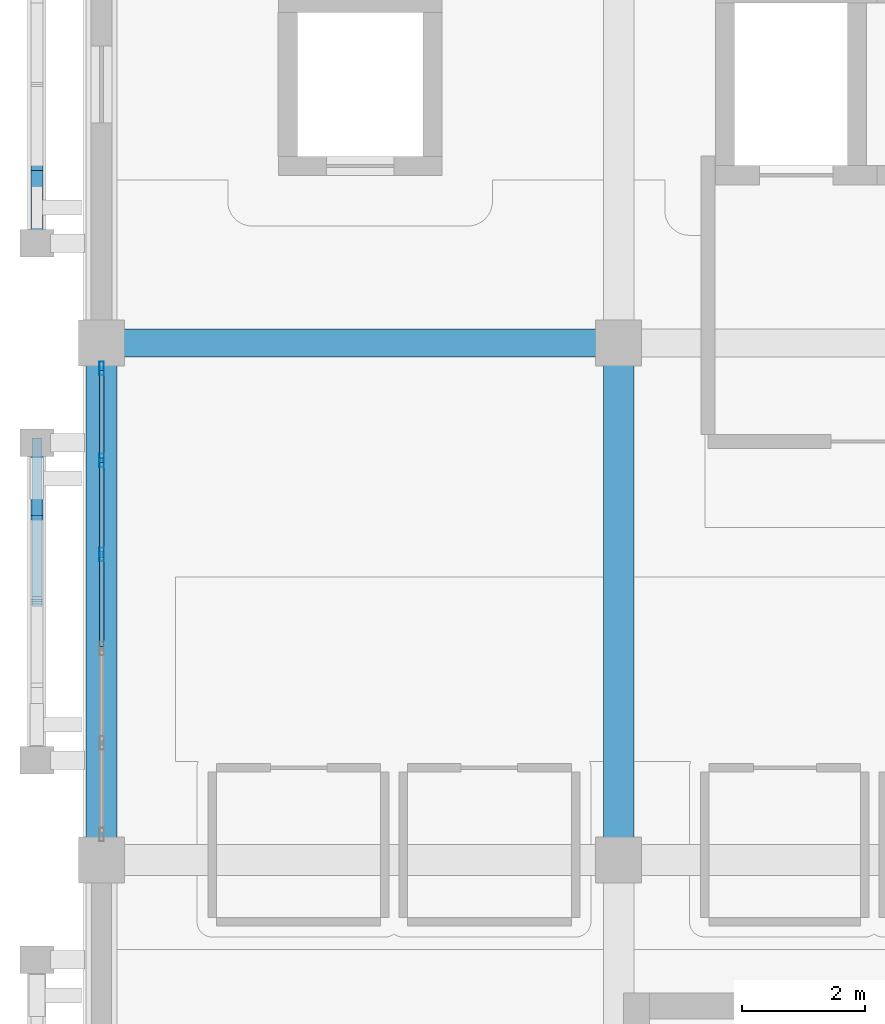
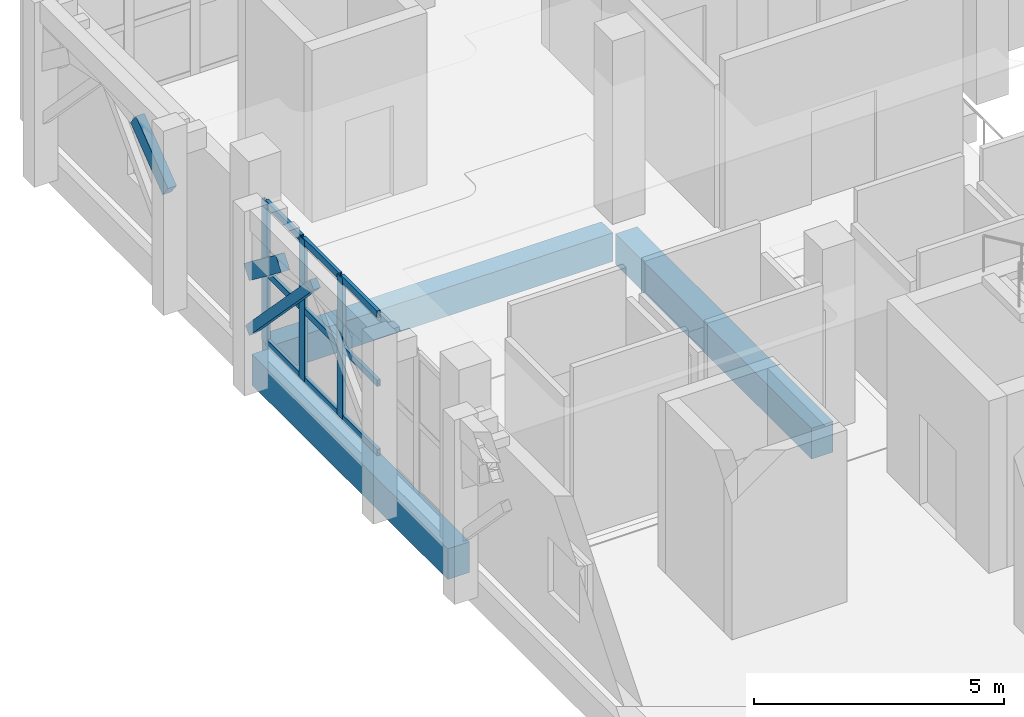
# One storey, part 45 of 114: 15 members, 3 beams, 1 element without a shape of its own.
"""IFC4 building model written with IfcOpenShell, lengths in metres."""

from ifc_helpers import new_model, si_unit, direction, frame, origin, origin_2d, place, context, subcontext, project, spatial, rectangle, hollow_rectangle, extrude, material, layer, layer_set, material_profile, profile_set, type_object, element, aggregate, save


model = new_model("IFC4")

# Units and contexts
model_context = context("Model", 3, precision=1e-05, world=origin(), true_north=direction((0.0, 1.0)))
body_context = subcontext(model_context, "Body", "Model", "MODEL_VIEW")
ifc_project = project(units=[si_unit("LENGTHUNIT", "METRE"), si_unit("AREAUNIT", "SQUARE_METRE"), si_unit("VOLUMEUNIT", "CUBIC_METRE"), si_unit("PLANEANGLEUNIT", "RADIAN"), si_unit("MASSUNIT", "GRAM", prefix="KILO")], contexts=[model_context])

# Site, building, storey
site_placement = place(None, origin())
site = spatial("IfcSite", under=ifc_project, at=site_placement, CompositionType="ELEMENT")
building_placement = place(site_placement, origin())
building = spatial("IfcBuilding", under=site, at=building_placement, Name="Xazarin Passage Department Store", CompositionType="ELEMENT")
storey_placement = place(building_placement, frame((0.0, 0.0, 14.39990234375)))
storey = spatial("IfcBuildingStorey", under=building, at=storey_placement, Name="L03", CompositionType="ELEMENT", Elevation=14.39990234375)

# Curtain wall, members
ifc_material_1 = material(Name="Bronze anodised aluminium", Category="aluminium")
ifc_layer = layer(ifc_material_1, 0.199951171875)
ifc_layer_set = layer_set([ifc_layer], Name="Bronze anodised aluminium")
curtain_wall_type = type_object("IfcCurtainWallType", Name="ARC-CW-VIT2", PredefinedType="NOTDEFINED", material=ifc_layer_set)
curtain_wall_placement = place(storey_placement, origin())
curtain_wall = element("IfcCurtainWall", 1, at=curtain_wall_placement, inside=storey, type_object=curtain_wall_type, Name="L03 V1 Curtain Wall 064", PredefinedType="NOTDEFINED")
ifc_material_profile_1 = material_profile(ifc_material_1, hollow_rectangle(XDim=0.074951171875, YDim=0.219970703125, WallThickness=0.0048828125, at=origin_2d()), Name="ALU 75x220")
ifc_profile_set_1 = profile_set([ifc_material_profile_1], Name="Bronze anodised aluminium")
member_type_1 = type_object("IfcMemberType", Name="ARC-CWM-75x220", PredefinedType="MULLION", material=ifc_profile_set_1)
member_1_placement = place(storey_placement, frame((0.0, 89.764892578125, 0.0), z_axis=(0.0, 0.0, 1.0), x_axis=(-1.0, 0.0, 0.0)))
member_1 = element("IfcMember", 2, at=member_1_placement, type_object=member_type_1, Name="CW2 mullion 4", PredefinedType="MULLION", context=body_context, shape_type="SweptSolid", body=[
    extrude(hollow_rectangle(XDim=0.074951171875, YDim=0.219970703125, WallThickness=0.0048828125, at=origin_2d()), origin(), (0.0, 0.0, 1.0), 3.4501953125),
])
member_2_placement = place(storey_placement, frame((0.0, 91.294921875, 0.0), z_axis=(0.0, 0.0, 1.0), x_axis=(-1.0, 0.0, 0.0)))
member_2 = element("IfcMember", 3, at=member_2_placement, type_object=member_type_1, Name="CW2 mullion 5", PredefinedType="MULLION", context=body_context, shape_type="SweptSolid", body=[
    extrude(hollow_rectangle(XDim=0.074951171875, YDim=0.219970703125, WallThickness=0.0048828125, at=origin_2d()), origin(), (0.0, 0.0, 1.0), 3.4501953125),
])
member_3_placement = place(storey_placement, frame((0.0, 92.78759765625, 0.0), z_axis=(0.0, 0.0, 1.0), x_axis=(-1.0, 0.0, 0.0)))
member_3 = element("IfcMember", 4, at=member_3_placement, type_object=member_type_1, Name="CW2 mullion 6", PredefinedType="MULLION", context=body_context, shape_type="SweptSolid", body=[
    extrude(hollow_rectangle(XDim=0.074951171875, YDim=0.219970703125, WallThickness=0.0048828125, at=origin_2d()), origin(), (0.0, 0.0, 1.0), 3.4501953125),
])
ifc_material_profile_2 = material_profile(ifc_material_1, hollow_rectangle(XDim=0.074951171875, YDim=0.159912109375, WallThickness=0.00439453125, at=origin_2d()), Name="ALU 75x160")
ifc_profile_set_2 = profile_set([ifc_material_profile_2], Name="Bronze anodised aluminium")
member_type_2 = type_object("IfcMemberType", Name="ARC-CWT-75x160", PredefinedType="USERDEFINED", material=ifc_profile_set_2)
member_4_placement = place(storey_placement, frame((0.0, 88.2724609375, 0.03759765625), z_axis=(0.0, 1.0, 0.0), x_axis=(-1.0, 0.0, 0.0)))
member_4 = element("IfcMember", 5, at=member_4_placement, type_object=member_type_2, Name="CW2 transom 3.1", ObjectType="TRANSOM", PredefinedType="USERDEFINED", context=body_context, shape_type="SweptSolid", body=[
    extrude(hollow_rectangle(XDim=0.074951171875, YDim=0.159912109375, WallThickness=0.00439453125, at=origin_2d()), origin(), (0.0, 0.0, 1.0), 1.455078125),
])
member_5_placement = place(storey_placement, frame((0.0, 88.2724609375, 1.72509765625), z_axis=(0.0, 1.0, 0.0), x_axis=(-1.0, 0.0, 0.0)))
member_5 = element("IfcMember", 6, at=member_5_placement, type_object=member_type_2, Name="CW2 transom 3.2", ObjectType="TRANSOM", PredefinedType="USERDEFINED", context=body_context, shape_type="SweptSolid", body=[
    extrude(hollow_rectangle(XDim=0.074951171875, YDim=0.159912109375, WallThickness=0.00439453125, at=origin_2d()), origin(), (0.0, 0.0, 1.0), 1.455078125),
])
member_6_placement = place(storey_placement, frame((0.0, 88.2724609375, 3.41259765625), z_axis=(0.0, 1.0, 0.0), x_axis=(-1.0, 0.0, 0.0)))
member_6 = element("IfcMember", 7, at=member_6_placement, type_object=member_type_2, Name="CW2 transom 3.3", ObjectType="TRANSOM", PredefinedType="USERDEFINED", context=body_context, shape_type="SweptSolid", body=[
    extrude(hollow_rectangle(XDim=0.074951171875, YDim=0.159912109375, WallThickness=0.00439453125, at=origin_2d()), origin(), (0.0, 0.0, 1.0), 1.455078125),
])
member_7_placement = place(storey_placement, frame((0.0, 89.802490234375, 0.03759765625), z_axis=(0.0, 1.0, 0.0), x_axis=(-1.0, 0.0, 0.0)))
member_7 = element("IfcMember", 8, at=member_7_placement, type_object=member_type_2, Name="CW2 transom 4.1", ObjectType="TRANSOM", PredefinedType="USERDEFINED", context=body_context, shape_type="SweptSolid", body=[
    extrude(hollow_rectangle(XDim=0.074951171875, YDim=0.159912109375, WallThickness=0.00439453125, at=origin_2d()), origin(), (0.0, 0.0, 1.0), 1.455078125),
])
member_8_placement = place(storey_placement, frame((0.0, 89.802490234375, 1.72509765625), z_axis=(0.0, 1.0, 0.0), x_axis=(-1.0, 0.0, 0.0)))
member_8 = element("IfcMember", 9, at=member_8_placement, type_object=member_type_2, Name="CW2 transom 4.2", ObjectType="TRANSOM", PredefinedType="USERDEFINED", context=body_context, shape_type="SweptSolid", body=[
    extrude(hollow_rectangle(XDim=0.074951171875, YDim=0.159912109375, WallThickness=0.00439453125, at=origin_2d()), origin(), (0.0, 0.0, 1.0), 1.455078125),
])
member_9_placement = place(storey_placement, frame((0.0, 89.802490234375, 3.41259765625), z_axis=(0.0, 1.0, 0.0), x_axis=(-1.0, 0.0, 0.0)))
member_9 = element("IfcMember", 10, at=member_9_placement, type_object=member_type_2, Name="CW2 transom 4.3", ObjectType="TRANSOM", PredefinedType="USERDEFINED", context=body_context, shape_type="SweptSolid", body=[
    extrude(hollow_rectangle(XDim=0.074951171875, YDim=0.159912109375, WallThickness=0.00439453125, at=origin_2d()), origin(), (0.0, 0.0, 1.0), 1.455078125),
])
member_10_placement = place(storey_placement, frame((0.0, 91.33251953125, 0.03759765625), z_axis=(0.0, 1.0, 0.0), x_axis=(-1.0, 0.0, 0.0)))
member_10 = element("IfcMember", 11, at=member_10_placement, type_object=member_type_2, Name="CW2 transom 5.1", ObjectType="TRANSOM", PredefinedType="USERDEFINED", context=body_context, shape_type="SweptSolid", body=[
    extrude(hollow_rectangle(XDim=0.074951171875, YDim=0.159912109375, WallThickness=0.00439453125, at=origin_2d()), origin(), (0.0, 0.0, 1.0), 1.41748046875),
])
member_11_placement = place(storey_placement, frame((0.0, 91.33251953125, 1.72509765625), z_axis=(0.0, 1.0, 0.0), x_axis=(-1.0, 0.0, 0.0)))
member_11 = element("IfcMember", 12, at=member_11_placement, type_object=member_type_2, Name="CW2 transom 5.2", ObjectType="TRANSOM", PredefinedType="USERDEFINED", context=body_context, shape_type="SweptSolid", body=[
    extrude(hollow_rectangle(XDim=0.074951171875, YDim=0.159912109375, WallThickness=0.00439453125, at=origin_2d()), origin(), (0.0, 0.0, 1.0), 1.41748046875),
])
member_12_placement = place(storey_placement, frame((0.0, 91.33251953125, 3.41259765625), z_axis=(0.0, 1.0, 0.0), x_axis=(-1.0, 0.0, 0.0)))
member_12 = element("IfcMember", 13, at=member_12_placement, type_object=member_type_2, Name="CW2 transom 5.3", ObjectType="TRANSOM", PredefinedType="USERDEFINED", context=body_context, shape_type="SweptSolid", body=[
    extrude(hollow_rectangle(XDim=0.074951171875, YDim=0.159912109375, WallThickness=0.00439453125, at=origin_2d()), origin(), (0.0, 0.0, 1.0), 1.41748046875),
])
aggregate(curtain_wall, [member_1, member_2, member_3, member_4, member_5, member_6, member_7, member_8, member_9, member_10, member_11, member_12])

# Beams
ifc_material_2 = material(Name="Concrete C35/45", Category="concrete")
ifc_material_profile_3 = material_profile(ifc_material_2, rectangle(XDim=0.449951171875, YDim=0.699951171875, at=origin_2d()), Name="RC 450x700")
ifc_profile_set_3 = profile_set([ifc_material_profile_3], Name="Concrete C35/45")
beam_type_1 = type_object("IfcBeamType", Name="STR-BM-G450x700", PredefinedType="BEAM", material=ifc_profile_set_3)
beam_placement = place(storey_placement, frame((0.280029296875, 93.199951171875, -0.64990234375), z_axis=(1.0, 0.0, 0.0), x_axis=(0.0, 1.0, 0.0)))
element("IfcBeam", 14, at=beam_placement, inside=storey, type_object=beam_type_1, Name="L03 Grid Beam N/1-2", PredefinedType="BEAM", context=body_context, shape_type="SweptSolid", body=[
    extrude(rectangle(XDim=0.449951171875, YDim=0.699951171875, at=origin_2d()), origin(), (0.0, 0.0, 1.0), 7.840087890625),
])
ifc_material_profile_4 = material_profile(ifc_material_2, rectangle(XDim=0.5, YDim=0.75, at=origin_2d()), Name="RC 500x750")
ifc_profile_set_4 = profile_set([ifc_material_profile_4], Name="Concrete C35/45")
beam_type_2 = type_object("IfcBeamType", Name="STR-BM-SP500x750", PredefinedType="SPANDREL", material=ifc_profile_set_4)
for number, where, z_axis, x_axis, name in (
    (15, (0.0, 85.080078125, -0.6748046875), (0.0, 1.0, 0.0), (-1.0, 0.0, 0.0), "L03 Grid Beam 1/M-N"),
    (16, (8.39990234375, 85.080078125, -0.6748046875), (0.0, 1.0, 0.0), (-1.0, 0.0, 0.0), "L03 Grid Beam 2/M-N"),
):
    element("IfcBeam", number, at=place(storey_placement, frame(where, z_axis=z_axis, x_axis=x_axis)), inside=storey, type_object=beam_type_2, Name=name, PredefinedType="SPANDREL", context=body_context, shape_type="SweptSolid", body=[
        extrude(rectangle(XDim=0.5, YDim=0.75, at=origin_2d()), origin(), (0.0, 0.0, 1.0), 7.83984375),
    ])

# Members
ifc_material_3 = material(Name="Concrete C40/50", Category="concrete")
ifc_material_profile_5 = material_profile(ifc_material_3, rectangle(XDim=0.199951171875, YDim=0.360107421875, at=origin_2d()), Name="RC 200x360")
ifc_profile_set_5 = profile_set([ifc_material_profile_5], Name="Concrete C40/50")
member_type_3 = type_object("IfcMemberType", Name="STR-MEM-ARC360", PredefinedType="CHORD", material=ifc_profile_set_5)
for number, where, z_axis, x_axis, name in (
    (17, (-1.050048828125, 90.2900390625, 3.81640625), (0.0, 0.79440903847, -0.607383140692), (-1.0, 0.0, 0.0), "L03 V1 Pierced Lattice Curved Arch 012.4"),
    (18, (-1.050048828125, 94.820068359375, 2.830078125), (0.0, 0.79440903847, 0.607383140692), (-1.0, 0.0, 0.0), "L03 V1 Pierced Lattice Curved Arch 013.1"),
):
    element("IfcMember", number, at=place(storey_placement, frame(where, z_axis=z_axis, x_axis=x_axis)), inside=storey, type_object=member_type_3, Name=name, PredefinedType="CHORD", context=body_context, shape_type="SweptSolid", body=[
        extrude(rectangle(XDim=0.199951171875, YDim=0.360107421875, at=origin_2d()), origin(), (0.0, 0.0, 1.0), 1.623779296875),
    ])
ifc_material_profile_6 = material_profile(ifc_material_3, rectangle(XDim=0.159912109375, YDim=0.219970703125, at=origin_2d()), Name="RC 160x220")
ifc_profile_set_6 = profile_set([ifc_material_profile_6], Name="Concrete C40/50")
member_type_4 = type_object("IfcMemberType", Name="STR-MEM-TRC220", PredefinedType="CHORD", material=ifc_profile_set_6)
member_13_placement = place(storey_placement, frame((-1.050048828125, 89.0, 4.080078125), z_axis=(0.0, 0.693558444435, -0.720400363793), x_axis=(-1.0, 0.0, 0.0)))
element("IfcMember", 19, at=member_13_placement, inside=storey, type_object=member_type_4, Name="L03 V1 Upper Lattice Tracery Arch 012R", PredefinedType="CHORD", context=body_context, shape_type="SweptSolid", body=[
    extrude(rectangle(XDim=0.159912109375, YDim=0.219970703125, at=origin_2d()), origin(), (0.0, 0.0, 1.0), 3.719970703125),
])

save(model, "model.ifc")
